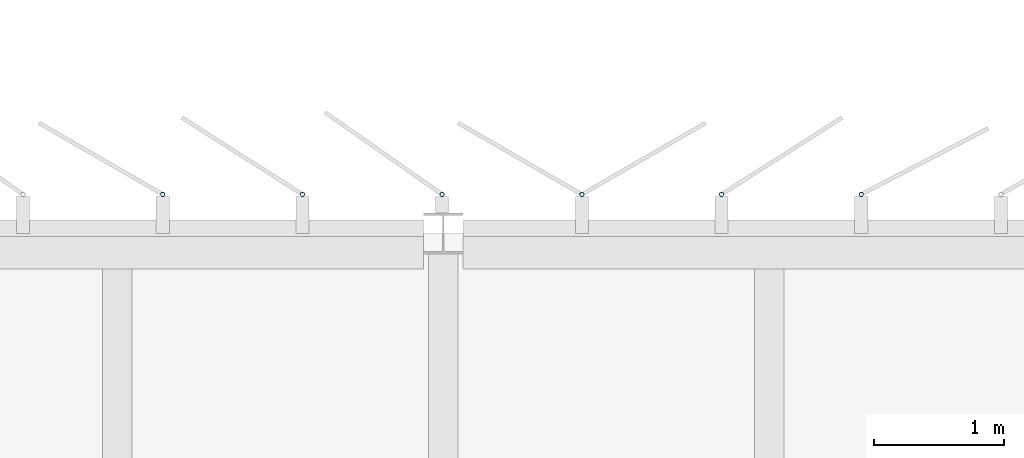
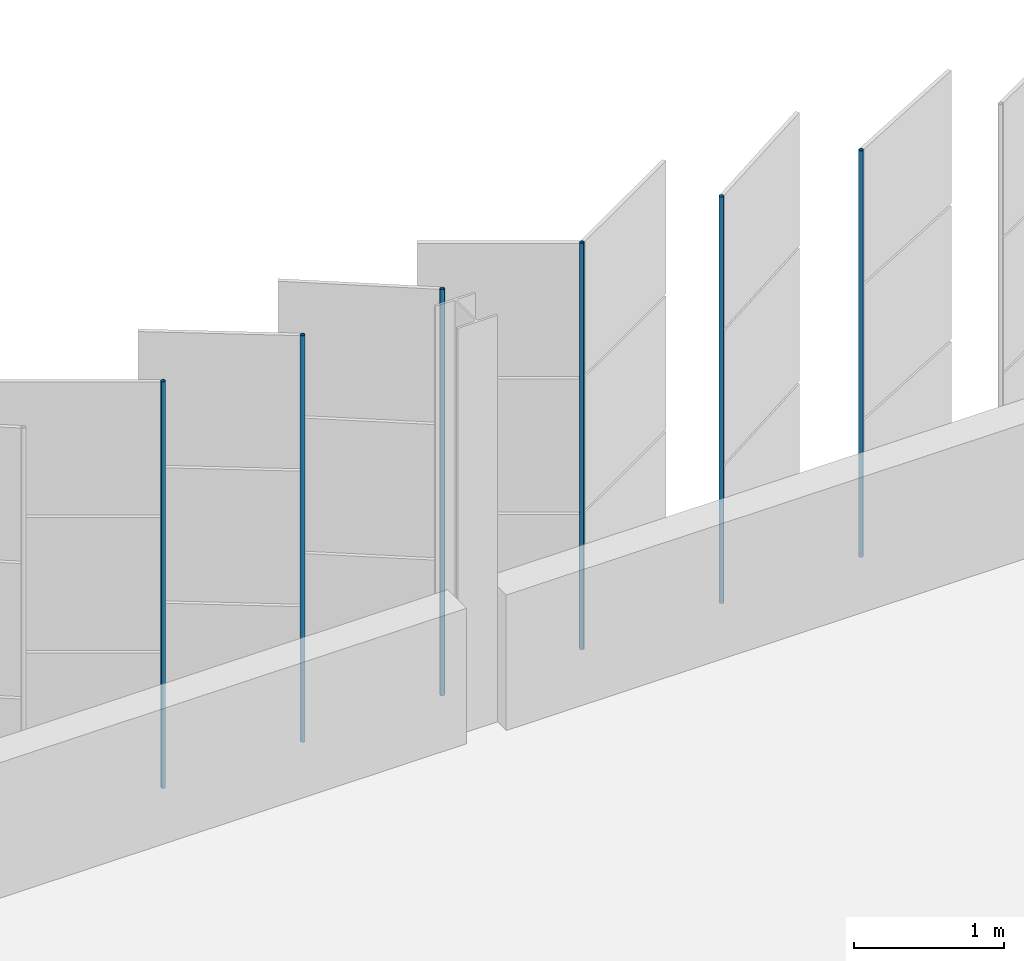
# One storey, part 155 of 214: 6 discrete accessories.
"""IFC4 building model written with IfcOpenShell, lengths in metres."""

from ifc_helpers import new_model, si_unit, direction, frame, origin, origin_2d, place, context, subcontext, project, spatial, hollow_circle, extrude, material, material_profile, profile_set, type_object, element, save


model = new_model("IFC4")

# Units and contexts
model_context = context("Model", 3, precision=1e-05, world=origin(), true_north=direction((0.0, 1.0)))
body_context = subcontext(model_context, "Body", "Model", "MODEL_VIEW")
ifc_project = project(units=[si_unit("LENGTHUNIT", "METRE"), si_unit("AREAUNIT", "SQUARE_METRE"), si_unit("VOLUMEUNIT", "CUBIC_METRE"), si_unit("PLANEANGLEUNIT", "RADIAN"), si_unit("MASSUNIT", "GRAM", prefix="KILO")], contexts=[model_context])

# Site, building, storey
site_placement = place(None, origin())
site = spatial("IfcSite", under=ifc_project, at=site_placement, CompositionType="ELEMENT")
building_placement = place(site_placement, origin())
building = spatial("IfcBuilding", under=site, at=building_placement, Name="Parallax Yard Mobility Hub", CompositionType="ELEMENT")
storey_placement = place(building_placement, frame((0.0, 0.0, 3.300048828125)))
storey = spatial("IfcBuildingStorey", under=building, at=storey_placement, Name="L01", CompositionType="ELEMENT", Elevation=3.300048828125)

# Discrete accessories
ifc_material = material(Name="Steel ASTM A500 Gr C, hot-dip galvanised", Category="steel")
ifc_material_profile = material_profile(ifc_material, hollow_circle(Radius=0.016845703125, WallThickness=0.003173828125, at=origin_2d()), Name="CHS 33.7x3.2")
ifc_profile_set = profile_set([ifc_material_profile], Name="Steel ASTM A500 Gr C, hot-dip galvanised")
discrete_accessory_type = type_object("IfcDiscreteAccessoryType", Name="Hinge post CHS 33.7x3.2", PredefinedType="BRACKET", material=ifc_profile_set)
for number, where, z_axis, x_axis, name in (
    (1, (85.705810546875, 142.800048828125, 0.0), (0.0, 0.0, 1.0), (1.0, 0.0, 0.0), "Hinge post bay 62.5 level L01"),
    (2, (84.63427734375, 142.800048828125, 0.0), (0.0, 0.0, 1.0), (1.0, 0.0, 0.0), "Hinge post bay 62.6 level L01"),
    (3, (83.562744140625, 142.800048828125, 0.0), (0.0, 0.0, 1.0), (1.0, 0.0, 0.0), "Hinge post bay 62.7 level L01"),
    (4, (82.4912109375, 142.800048828125, 0.0), (0.0, 0.0, 1.0), (1.0, 0.0, 0.0), "Hinge post bay 63.1 level L01"),
    (5, (81.419677734375, 142.800048828125, 0.0), (0.0, 0.0, 1.0), (1.0, 0.0, 0.0), "Hinge post bay 63.2 level L01"),
    (6, (80.34814453125, 142.800048828125, 0.0), (0.0, 0.0, 1.0), (1.0, 0.0, 0.0), "Hinge post bay 63.3 level L01"),
):
    element("IfcDiscreteAccessory", number, at=place(storey_placement, frame(where, z_axis=z_axis, x_axis=x_axis)), inside=storey, type_object=discrete_accessory_type, Name=name, PredefinedType="BRACKET", context=body_context, shape_type="SweptSolid", body=[
        extrude(hollow_circle(Radius=0.016845703125, WallThickness=0.003173828125, at=origin_2d()), origin(), (0.0, 0.0, 1.0), 3.300048828125),
    ])

save(model, "model.ifc")
